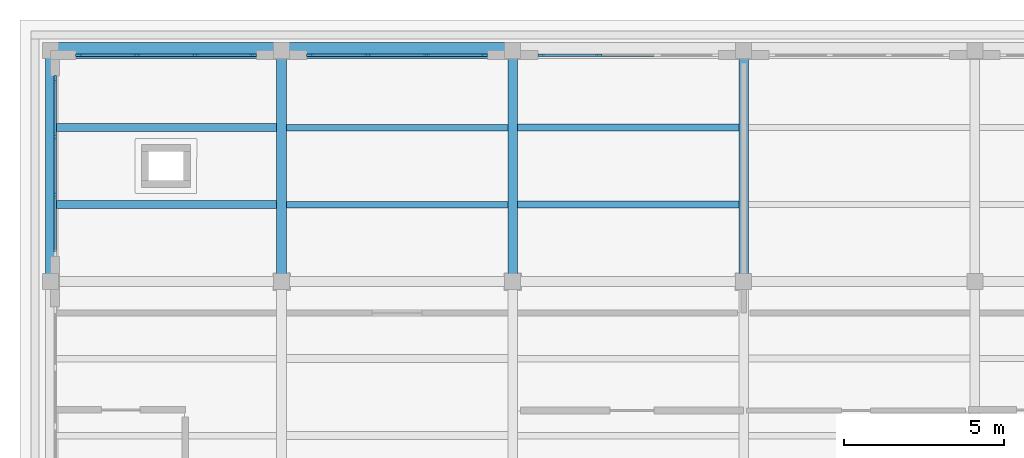
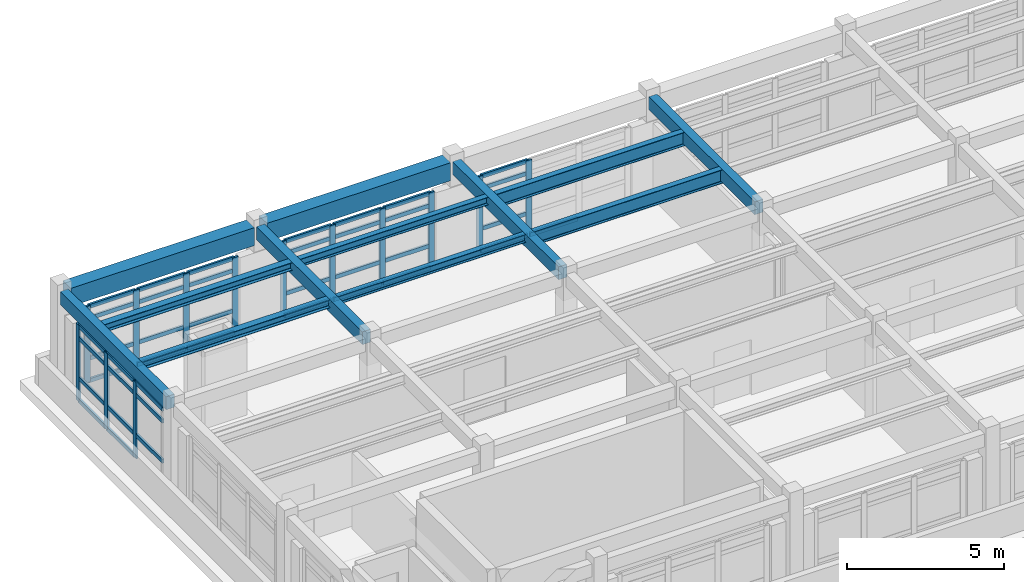
# One storey, part 4 of 12: 53 members, 12 beams, 4 elements without a shape of their own.
"""IFC4 building model written with IfcOpenShell, lengths in metres."""

from ifc_helpers import new_model, si_unit, direction, frame, origin, origin_2d, place, context, subcontext, project, spatial, rectangle, i_section, extrude, material, layer, layer_set, material_profile, profile_set, type_object, element, aggregate, save


model = new_model("IFC4")

# Units and contexts
model_context = context("Model", 3, precision=1e-05, world=origin(), true_north=direction((0.0, 1.0)))
body_context = subcontext(model_context, "Body", "Model", "MODEL_VIEW")
ifc_project = project(units=[si_unit("LENGTHUNIT", "METRE"), si_unit("AREAUNIT", "SQUARE_METRE"), si_unit("VOLUMEUNIT", "CUBIC_METRE"), si_unit("PLANEANGLEUNIT", "RADIAN"), si_unit("MASSUNIT", "GRAM", prefix="KILO")], contexts=[model_context])

# Site, building, storey
site_placement = place(None, origin())
site = spatial("IfcSite", under=ifc_project, at=site_placement, CompositionType="ELEMENT")
building_placement = place(site_placement, origin())
building = spatial("IfcBuilding", under=site, at=building_placement, Name="Solenvale Faculty of Natural Sciences", CompositionType="ELEMENT")
storey_placement = place(building_placement, frame((0.0, 0.0, 52.199951171875)))
storey = spatial("IfcBuildingStorey", under=building, at=storey_placement, Name="RF", CompositionType="ELEMENT", Elevation=52.199951171875)

# Beams
ifc_material_1 = material(Name="Concrete 40 MPa", Category="concrete")
ifc_material_profile_1 = material_profile(ifc_material_1, rectangle(XDim=0.300048828125, YDim=0.5, at=origin_2d()), Name="RC-BM-300x500")
ifc_profile_set_1 = profile_set([ifc_material_profile_1], Name="Concrete 40 MPa")
beam_type_1 = type_object("IfcBeamType", Name="BM-RC-300x500", PredefinedType="BEAM", material=ifc_profile_set_1)
for number, where, z_axis, x_axis, name in (
    (1, (100.800048828125, 108.22998046875, 3.670166015625), (0.0, 1.0, 0.0), (-1.0, 0.0, 0.0), "RF Y-Girder X100.8 (108.0..115.2)"),
    (2, (108.0, 108.22998046875, 3.670166015625), (0.0, 1.0, 0.0), (-1.0, 0.0, 0.0), "RF Y-Girder X108.0 (108.0..115.2)"),
    (3, (115.199951171875, 108.22998046875, 3.670166015625), (0.0, 1.0, 0.0), (-1.0, 0.0, 0.0), "RF Y-Girder X115.2 (108.0..115.2)"),
    (4, (122.39990234375, 108.22998046875, 3.670166015625), (0.0, 1.0, 0.0), (-1.0, 0.0, 0.0), "RF Y-Girder X122.4 (108.0..115.2)"),
):
    element("IfcBeam", number, at=place(storey_placement, frame(where, z_axis=z_axis, x_axis=x_axis)), inside=storey, type_object=beam_type_1, Name=name, PredefinedType="BEAM", context=body_context, shape_type="SweptSolid", body=[
        extrude(rectangle(XDim=0.300048828125, YDim=0.5, at=origin_2d()), origin(), (0.0, 0.0, 1.0), 6.739990234375),
    ])
ifc_material_2 = material(Name="Precast concrete 40 MPa", Category="concrete")
ifc_material_profile_2 = material_profile(ifc_material_2, rectangle(XDim=0.5, YDim=0.699951171875, at=origin_2d()), Name="RC-BM-500x700")
ifc_profile_set_2 = profile_set([ifc_material_profile_2], Name="Precast concrete 40 MPa")
beam_type_2 = type_object("IfcBeamType", Name="BM-SPN-PRC-700", PredefinedType="SPANDREL", material=ifc_profile_set_2)
for number, where, z_axis, x_axis, name in (
    (5, (101.030029296875, 115.199951171875, 3.570068359375), (1.0, 0.0, 0.0), (0.0, 1.0, 0.0), "RF X-Girder Y115.2 (100.8..108.0)"),
    (6, (108.22998046875, 115.199951171875, 3.570068359375), (1.0, 0.0, 0.0), (0.0, 1.0, 0.0), "RF X-Girder Y115.2 (108.0..115.2)"),
):
    element("IfcBeam", number, at=place(storey_placement, frame(where, z_axis=z_axis, x_axis=x_axis)), inside=storey, type_object=beam_type_2, Name=name, PredefinedType="SPANDREL", context=body_context, shape_type="SweptSolid", body=[
        extrude(rectangle(XDim=0.5, YDim=0.699951171875, at=origin_2d()), origin(), (0.0, 0.0, 1.0), 6.739990234375),
    ])
ifc_material_3 = material(Name="Steel S355", Category="steel")
ifc_material_profile_3 = material_profile(ifc_material_3, i_section(OverallWidth=0.202880859375, OverallDepth=0.302978515625, WebThickness=0.007568359375, FlangeThickness=0.01318359375, FilletRadius=0.014892578125, at=origin_2d()), Name="W310x60")
ifc_profile_set_3 = profile_set([ifc_material_profile_3], Name="Steel S355")
beam_type_3 = type_object("IfcBeamType", Name="BM-STL-W310x60", PredefinedType="JOIST", material=ifc_profile_set_3)
for number, where, z_axis, x_axis, name in (
    (7, (108.1298828125, 110.39990234375, 3.7685546875), (1.0, 0.0, 0.0), (0.0, 1.0, 0.0), "RF Composite Floor Joist (16,16).1"),
    (8, (108.1298828125, 112.800048828125, 3.7685546875), (1.0, 0.0, 0.0), (0.0, 1.0, 0.0), "RF Composite Floor Joist (16,16).2"),
):
    element("IfcBeam", number, at=place(storey_placement, frame(where, z_axis=z_axis, x_axis=x_axis)), inside=storey, type_object=beam_type_3, Name=name, PredefinedType="JOIST", context=body_context, shape_type="SweptSolid", body=[
        extrude(i_section(OverallWidth=0.202880859375, OverallDepth=0.302978515625, WebThickness=0.007568359375, FlangeThickness=0.01318359375, FilletRadius=0.014892578125, at=origin_2d()), origin(), (0.0, 0.0, 1.0), 6.940185546875),
    ])
ifc_material_profile_4 = material_profile(ifc_material_3, i_section(OverallWidth=0.25390625, OverallDepth=0.305908203125, WebThickness=0.0087890625, FlangeThickness=0.0146484375, FilletRadius=0.014892578125, at=origin_2d()), Name="W310x79")
ifc_profile_set_4 = profile_set([ifc_material_profile_4], Name="Steel S355")
beam_type_4 = type_object("IfcBeamType", Name="BM-STL-W310x79", PredefinedType="JOIST", material=ifc_profile_set_4)
for number, where, z_axis, x_axis, name in (
    (9, (100.929931640625, 110.39990234375, 3.76708984375), (1.0, 0.0, 0.0), (0.0, 1.0, 0.0), "RF Composite Floor Joist (15,16).1"),
    (10, (100.929931640625, 112.800048828125, 3.76708984375), (1.0, 0.0, 0.0), (0.0, 1.0, 0.0), "RF Composite Floor Joist (15,16).2"),
):
    element("IfcBeam", number, at=place(storey_placement, frame(where, z_axis=z_axis, x_axis=x_axis)), inside=storey, type_object=beam_type_4, Name=name, PredefinedType="JOIST", context=body_context, shape_type="SweptSolid", body=[
        extrude(i_section(OverallWidth=0.25390625, OverallDepth=0.305908203125, WebThickness=0.0087890625, FlangeThickness=0.0146484375, FilletRadius=0.014892578125, at=origin_2d()), origin(), (0.0, 0.0, 1.0), 6.940185546875),
    ])
ifc_material_profile_5 = material_profile(ifc_material_3, i_section(OverallWidth=0.208984375, OverallDepth=0.532958984375, WebThickness=0.01025390625, FlangeThickness=0.015625, FilletRadius=0.01904296875, at=origin_2d()), Name="W530x92")
ifc_profile_set_5 = profile_set([ifc_material_profile_5], Name="Steel S355")
beam_type_5 = type_object("IfcBeamType", Name="BM-STL-W530x92", PredefinedType="JOIST", material=ifc_profile_set_5)
for number, where, z_axis, x_axis, name in (
    (11, (115.330078125, 110.39990234375, 3.653564453125), (1.0, 0.0, 0.0), (0.0, 1.0, 0.0), "RF Composite Floor Joist (17,16).1"),
    (12, (115.330078125, 112.800048828125, 3.653564453125), (1.0, 0.0, 0.0), (0.0, 1.0, 0.0), "RF Composite Floor Joist (17,16).2"),
):
    element("IfcBeam", number, at=place(storey_placement, frame(where, z_axis=z_axis, x_axis=x_axis)), inside=storey, type_object=beam_type_5, Name=name, PredefinedType="JOIST", context=body_context, shape_type="SweptSolid", body=[
        extrude(i_section(OverallWidth=0.208984375, OverallDepth=0.532958984375, WebThickness=0.01025390625, FlangeThickness=0.015625, FilletRadius=0.01904296875, at=origin_2d()), origin(), (0.0, 0.0, 1.0), 6.93994140625),
    ])

# Curtain wall, members
ifc_material_4 = material(Name="Anodised bronze aluminium", Category="aluminium")
ifc_layer = layer(ifc_material_4, 0.179931640625)
ifc_layer_set = layer_set([ifc_layer], Name="Anodised bronze aluminium")
curtain_wall_type = type_object("IfcCurtainWallType", Name="CW-TWR-MOD", PredefinedType="USERDEFINED", material=ifc_layer_set)
curtain_wall_1_placement = place(storey_placement, origin())
curtain_wall_1 = element("IfcCurtainWall", 13, at=curtain_wall_1_placement, inside=storey, type_object=curtain_wall_type, Name="RF Curtain Wall CW-RF-P1-E2-B4", ObjectType="UNITISED CURTAIN WALL", PredefinedType="USERDEFINED")
ifc_material_profile_6 = material_profile(ifc_material_4, rectangle(XDim=0.074951171875, YDim=0.2099609375, at=origin_2d()), Name="ALU-MUL-75x210")
ifc_profile_set_6 = profile_set([ifc_material_profile_6], Name="Anodised bronze aluminium")
member_type_1 = type_object("IfcMemberType", Name="CWM-ALU-75x210", PredefinedType="MULLION", material=ifc_profile_set_6)
member_1_placement = place(storey_placement, frame((117.88330078125, 115.0576171875, 0.0), z_axis=(0.0, 0.0, 1.0), x_axis=(0.0, -1.0, 0.0)))
member_1 = element("IfcMember", 14, at=member_1_placement, type_object=member_type_1, Name="CW-04 mullion 3", PredefinedType="MULLION", context=body_context, shape_type="SweptSolid", body=[
    extrude(rectangle(XDim=0.074951171875, YDim=0.2099609375, at=origin_2d()), origin(), (0.0, 0.0, 1.0), 2.9599609375),
])
member_2_placement = place(storey_placement, frame((116.08740234375, 115.0576171875, 0.0), z_axis=(0.0, 0.0, 1.0), x_axis=(0.0, -1.0, 0.0)))
member_2 = element("IfcMember", 15, at=member_2_placement, type_object=member_type_1, Name="CW-04 mullion 4", PredefinedType="MULLION", context=body_context, shape_type="SweptSolid", body=[
    extrude(rectangle(XDim=0.074951171875, YDim=0.2099609375, at=origin_2d()), origin(), (0.0, 0.0, 1.0), 2.9599609375),
])

curtain_wall_2_placement = place(storey_placement, origin())
curtain_wall_2 = element("IfcCurtainWall", 16, at=curtain_wall_2_placement, inside=storey, type_object=curtain_wall_type, Name="RF Curtain Wall CW-RF-P1-E2-B5", ObjectType="UNITISED CURTAIN WALL", PredefinedType="USERDEFINED")
member_3_placement = place(storey_placement, frame((114.3125, 115.0576171875, 0.0), z_axis=(0.0, 0.0, 1.0), x_axis=(0.0, -1.0, 0.0)))
member_3 = element("IfcMember", 17, at=member_3_placement, type_object=member_type_1, Name="CW-04 mullion 1", PredefinedType="MULLION", context=body_context, shape_type="SweptSolid", body=[
    extrude(rectangle(XDim=0.074951171875, YDim=0.2099609375, at=origin_2d()), origin(), (0.0, 0.0, 1.0), 2.9599609375),
])
member_4_placement = place(storey_placement, frame((112.5166015625, 115.0576171875, 0.0), z_axis=(0.0, 0.0, 1.0), x_axis=(0.0, -1.0, 0.0)))
member_4 = element("IfcMember", 18, at=member_4_placement, type_object=member_type_1, Name="CW-04 mullion 2", PredefinedType="MULLION", context=body_context, shape_type="SweptSolid", body=[
    extrude(rectangle(XDim=0.074951171875, YDim=0.2099609375, at=origin_2d()), origin(), (0.0, 0.0, 1.0), 2.9599609375),
])
member_5_placement = place(storey_placement, frame((110.683349609375, 115.0576171875, 0.0), z_axis=(0.0, 0.0, 1.0), x_axis=(0.0, -1.0, 0.0)))
member_5 = element("IfcMember", 19, at=member_5_placement, type_object=member_type_1, Name="CW-04 mullion 3", PredefinedType="MULLION", context=body_context, shape_type="SweptSolid", body=[
    extrude(rectangle(XDim=0.074951171875, YDim=0.2099609375, at=origin_2d()), origin(), (0.0, 0.0, 1.0), 2.9599609375),
])
member_6_placement = place(storey_placement, frame((108.887451171875, 115.0576171875, 0.0), z_axis=(0.0, 0.0, 1.0), x_axis=(0.0, -1.0, 0.0)))
member_6 = element("IfcMember", 20, at=member_6_placement, type_object=member_type_1, Name="CW-04 mullion 4", PredefinedType="MULLION", context=body_context, shape_type="SweptSolid", body=[
    extrude(rectangle(XDim=0.074951171875, YDim=0.2099609375, at=origin_2d()), origin(), (0.0, 0.0, 1.0), 2.9599609375),
])

curtain_wall_3_placement = place(storey_placement, origin())
curtain_wall_3 = element("IfcCurtainWall", 21, at=curtain_wall_3_placement, inside=storey, type_object=curtain_wall_type, Name="RF Curtain Wall CW-RF-P1-E2-B6", ObjectType="UNITISED CURTAIN WALL", PredefinedType="USERDEFINED")
member_7_placement = place(storey_placement, frame((107.112548828125, 115.0576171875, 0.0), z_axis=(0.0, 0.0, 1.0), x_axis=(0.0, -1.0, 0.0)))
member_7 = element("IfcMember", 22, at=member_7_placement, type_object=member_type_1, Name="CW-04 mullion 1", PredefinedType="MULLION", context=body_context, shape_type="SweptSolid", body=[
    extrude(rectangle(XDim=0.074951171875, YDim=0.2099609375, at=origin_2d()), origin(), (0.0, 0.0, 1.0), 2.9599609375),
])
member_8_placement = place(storey_placement, frame((105.316650390625, 115.0576171875, 0.0), z_axis=(0.0, 0.0, 1.0), x_axis=(0.0, -1.0, 0.0)))
member_8 = element("IfcMember", 23, at=member_8_placement, type_object=member_type_1, Name="CW-04 mullion 2", PredefinedType="MULLION", context=body_context, shape_type="SweptSolid", body=[
    extrude(rectangle(XDim=0.074951171875, YDim=0.2099609375, at=origin_2d()), origin(), (0.0, 0.0, 1.0), 2.9599609375),
])
member_9_placement = place(storey_placement, frame((103.4833984375, 115.0576171875, 0.0), z_axis=(0.0, 0.0, 1.0), x_axis=(0.0, -1.0, 0.0)))
member_9 = element("IfcMember", 24, at=member_9_placement, type_object=member_type_1, Name="CW-04 mullion 3", PredefinedType="MULLION", context=body_context, shape_type="SweptSolid", body=[
    extrude(rectangle(XDim=0.074951171875, YDim=0.2099609375, at=origin_2d()), origin(), (0.0, 0.0, 1.0), 2.9599609375),
])
member_10_placement = place(storey_placement, frame((101.6875, 115.0576171875, 0.0), z_axis=(0.0, 0.0, 1.0), x_axis=(0.0, -1.0, 0.0)))
member_10 = element("IfcMember", 25, at=member_10_placement, type_object=member_type_1, Name="CW-04 mullion 4", PredefinedType="MULLION", context=body_context, shape_type="SweptSolid", body=[
    extrude(rectangle(XDim=0.074951171875, YDim=0.2099609375, at=origin_2d()), origin(), (0.0, 0.0, 1.0), 2.9599609375),
])

curtain_wall_4_placement = place(storey_placement, origin())
curtain_wall_4 = element("IfcCurtainWall", 26, at=curtain_wall_4_placement, inside=storey, type_object=curtain_wall_type, Name="RF Curtain Wall CW-RF-P1-E3-B1", ObjectType="UNITISED CURTAIN WALL", PredefinedType="USERDEFINED")
member_11_placement = place(storey_placement, frame((100.9423828125, 114.3125, 0.0), z_axis=(0.0, 0.0, 1.0), x_axis=(1.0, 0.0, 0.0)))
member_11 = element("IfcMember", 27, at=member_11_placement, type_object=member_type_1, Name="CW-04 mullion 1", PredefinedType="MULLION", context=body_context, shape_type="SweptSolid", body=[
    extrude(rectangle(XDim=0.074951171875, YDim=0.2099609375, at=origin_2d()), origin(), (0.0, 0.0, 1.0), 2.9599609375),
])
member_12_placement = place(storey_placement, frame((100.9423828125, 112.5166015625, 0.0), z_axis=(0.0, 0.0, 1.0), x_axis=(1.0, 0.0, 0.0)))
member_12 = element("IfcMember", 28, at=member_12_placement, type_object=member_type_1, Name="CW-04 mullion 2", PredefinedType="MULLION", context=body_context, shape_type="SweptSolid", body=[
    extrude(rectangle(XDim=0.074951171875, YDim=0.2099609375, at=origin_2d()), origin(), (0.0, 0.0, 1.0), 2.9599609375),
])
member_13_placement = place(storey_placement, frame((100.9423828125, 110.683349609375, 0.0), z_axis=(0.0, 0.0, 1.0), x_axis=(1.0, 0.0, 0.0)))
member_13 = element("IfcMember", 29, at=member_13_placement, type_object=member_type_1, Name="CW-04 mullion 3", PredefinedType="MULLION", context=body_context, shape_type="SweptSolid", body=[
    extrude(rectangle(XDim=0.074951171875, YDim=0.2099609375, at=origin_2d()), origin(), (0.0, 0.0, 1.0), 2.9599609375),
])

# Member
ifc_material_profile_7 = material_profile(ifc_material_4, rectangle(XDim=0.074951171875, YDim=0.155029296875, at=origin_2d()), Name="ALU-TRN-75x155")
ifc_profile_set_7 = profile_set([ifc_material_profile_7], Name="Anodised bronze aluminium")
member_type_2 = type_object("IfcMemberType", Name="CWT-ALU-75x155", PredefinedType="USERDEFINED", material=ifc_profile_set_7)
member_14_placement = place(storey_placement, frame((119.67919921875, 115.0576171875, 0.03759765625), z_axis=(-1.0, 0.0, 0.0), x_axis=(0.0, -1.0, 0.0)))
member_14 = element("IfcMember", 30, at=member_14_placement, type_object=member_type_2, Name="CW-04 transom 2.1", ObjectType="TRANSOM", PredefinedType="USERDEFINED", context=body_context, shape_type="SweptSolid", body=[
    extrude(rectangle(XDim=0.074951171875, YDim=0.155029296875, at=origin_2d()), origin(), (0.0, 0.0, 1.0), 1.75830078125),
])

member_15_placement = place(storey_placement, frame((117.845947265625, 115.0576171875, 0.03759765625), z_axis=(-1.0, 0.0, 0.0), x_axis=(0.0, -1.0, 0.0)))
member_15 = element("IfcMember", 31, at=member_15_placement, type_object=member_type_2, Name="CW-04 transom 3.1", ObjectType="TRANSOM", PredefinedType="USERDEFINED", context=body_context, shape_type="SweptSolid", body=[
    extrude(rectangle(XDim=0.074951171875, YDim=0.155029296875, at=origin_2d()), origin(), (0.0, 0.0, 1.0), 1.720947265625),
])

member_16_placement = place(storey_placement, frame((117.845947265625, 115.0576171875, 0.900146484375), z_axis=(-1.0, 0.0, 0.0), x_axis=(0.0, -1.0, 0.0)))
member_16 = element("IfcMember", 32, at=member_16_placement, type_object=member_type_2, Name="CW-04 transom 3.2", ObjectType="TRANSOM", PredefinedType="USERDEFINED", context=body_context, shape_type="SweptSolid", body=[
    extrude(rectangle(XDim=0.074951171875, YDim=0.155029296875, at=origin_2d()), origin(), (0.0, 0.0, 1.0), 1.720947265625),
])

member_17_placement = place(storey_placement, frame((117.845947265625, 115.0576171875, 2.4599609375), z_axis=(-1.0, 0.0, 0.0), x_axis=(0.0, -1.0, 0.0)))
member_17 = element("IfcMember", 33, at=member_17_placement, type_object=member_type_2, Name="CW-04 transom 3.3", ObjectType="TRANSOM", PredefinedType="USERDEFINED", context=body_context, shape_type="SweptSolid", body=[
    extrude(rectangle(XDim=0.074951171875, YDim=0.155029296875, at=origin_2d()), origin(), (0.0, 0.0, 1.0), 1.720947265625),
])

member_18_placement = place(storey_placement, frame((117.845947265625, 115.0576171875, 2.922607421875), z_axis=(-1.0, 0.0, 0.0), x_axis=(0.0, -1.0, 0.0)))
member_18 = element("IfcMember", 34, at=member_18_placement, type_object=member_type_2, Name="CW-04 transom 3.4", ObjectType="TRANSOM", PredefinedType="USERDEFINED", context=body_context, shape_type="SweptSolid", body=[
    extrude(rectangle(XDim=0.074951171875, YDim=0.155029296875, at=origin_2d()), origin(), (0.0, 0.0, 1.0), 1.720947265625),
])

aggregate(curtain_wall_1, [member_1, member_2, member_14, member_15, member_16, member_17, member_18])

member_19_placement = place(storey_placement, frame((114.27490234375, 115.0576171875, 0.03759765625), z_axis=(-1.0, 0.0, 0.0), x_axis=(0.0, -1.0, 0.0)))
member_19 = element("IfcMember", 35, at=member_19_placement, type_object=member_type_2, Name="CW-04 transom 1.1", ObjectType="TRANSOM", PredefinedType="USERDEFINED", context=body_context, shape_type="SweptSolid", body=[
    extrude(rectangle(XDim=0.074951171875, YDim=0.155029296875, at=origin_2d()), origin(), (0.0, 0.0, 1.0), 1.720703125),
])

member_20_placement = place(storey_placement, frame((114.27490234375, 115.0576171875, 0.900146484375), z_axis=(-1.0, 0.0, 0.0), x_axis=(0.0, -1.0, 0.0)))
member_20 = element("IfcMember", 36, at=member_20_placement, type_object=member_type_2, Name="CW-04 transom 1.2", ObjectType="TRANSOM", PredefinedType="USERDEFINED", context=body_context, shape_type="SweptSolid", body=[
    extrude(rectangle(XDim=0.074951171875, YDim=0.155029296875, at=origin_2d()), origin(), (0.0, 0.0, 1.0), 1.720703125),
])

member_21_placement = place(storey_placement, frame((114.27490234375, 115.0576171875, 2.4599609375), z_axis=(-1.0, 0.0, 0.0), x_axis=(0.0, -1.0, 0.0)))
member_21 = element("IfcMember", 37, at=member_21_placement, type_object=member_type_2, Name="CW-04 transom 1.3", ObjectType="TRANSOM", PredefinedType="USERDEFINED", context=body_context, shape_type="SweptSolid", body=[
    extrude(rectangle(XDim=0.074951171875, YDim=0.155029296875, at=origin_2d()), origin(), (0.0, 0.0, 1.0), 1.720703125),
])

member_22_placement = place(storey_placement, frame((114.27490234375, 115.0576171875, 2.922607421875), z_axis=(-1.0, 0.0, 0.0), x_axis=(0.0, -1.0, 0.0)))
member_22 = element("IfcMember", 38, at=member_22_placement, type_object=member_type_2, Name="CW-04 transom 1.4", ObjectType="TRANSOM", PredefinedType="USERDEFINED", context=body_context, shape_type="SweptSolid", body=[
    extrude(rectangle(XDim=0.074951171875, YDim=0.155029296875, at=origin_2d()), origin(), (0.0, 0.0, 1.0), 1.720703125),
])

member_23_placement = place(storey_placement, frame((112.479248046875, 115.0576171875, 0.03759765625), z_axis=(-1.0, 0.0, 0.0), x_axis=(0.0, -1.0, 0.0)))
member_23 = element("IfcMember", 39, at=member_23_placement, type_object=member_type_2, Name="CW-04 transom 2.1", ObjectType="TRANSOM", PredefinedType="USERDEFINED", context=body_context, shape_type="SweptSolid", body=[
    extrude(rectangle(XDim=0.074951171875, YDim=0.155029296875, at=origin_2d()), origin(), (0.0, 0.0, 1.0), 1.75830078125),
])

member_24_placement = place(storey_placement, frame((112.479248046875, 115.0576171875, 0.900146484375), z_axis=(-1.0, 0.0, 0.0), x_axis=(0.0, -1.0, 0.0)))
member_24 = element("IfcMember", 40, at=member_24_placement, type_object=member_type_2, Name="CW-04 transom 2.2", ObjectType="TRANSOM", PredefinedType="USERDEFINED", context=body_context, shape_type="SweptSolid", body=[
    extrude(rectangle(XDim=0.074951171875, YDim=0.155029296875, at=origin_2d()), origin(), (0.0, 0.0, 1.0), 1.75830078125),
])

member_25_placement = place(storey_placement, frame((112.479248046875, 115.0576171875, 2.4599609375), z_axis=(-1.0, 0.0, 0.0), x_axis=(0.0, -1.0, 0.0)))
member_25 = element("IfcMember", 41, at=member_25_placement, type_object=member_type_2, Name="CW-04 transom 2.3", ObjectType="TRANSOM", PredefinedType="USERDEFINED", context=body_context, shape_type="SweptSolid", body=[
    extrude(rectangle(XDim=0.074951171875, YDim=0.155029296875, at=origin_2d()), origin(), (0.0, 0.0, 1.0), 1.75830078125),
])

member_26_placement = place(storey_placement, frame((112.479248046875, 115.0576171875, 2.922607421875), z_axis=(-1.0, 0.0, 0.0), x_axis=(0.0, -1.0, 0.0)))
member_26 = element("IfcMember", 42, at=member_26_placement, type_object=member_type_2, Name="CW-04 transom 2.4", ObjectType="TRANSOM", PredefinedType="USERDEFINED", context=body_context, shape_type="SweptSolid", body=[
    extrude(rectangle(XDim=0.074951171875, YDim=0.155029296875, at=origin_2d()), origin(), (0.0, 0.0, 1.0), 1.75830078125),
])

member_27_placement = place(storey_placement, frame((110.645751953125, 115.0576171875, 0.03759765625), z_axis=(-1.0, 0.0, 0.0), x_axis=(0.0, -1.0, 0.0)))
member_27 = element("IfcMember", 43, at=member_27_placement, type_object=member_type_2, Name="CW-04 transom 3.1", ObjectType="TRANSOM", PredefinedType="USERDEFINED", context=body_context, shape_type="SweptSolid", body=[
    extrude(rectangle(XDim=0.074951171875, YDim=0.155029296875, at=origin_2d()), origin(), (0.0, 0.0, 1.0), 1.720703125),
])

member_28_placement = place(storey_placement, frame((110.645751953125, 115.0576171875, 0.900146484375), z_axis=(-1.0, 0.0, 0.0), x_axis=(0.0, -1.0, 0.0)))
member_28 = element("IfcMember", 44, at=member_28_placement, type_object=member_type_2, Name="CW-04 transom 3.2", ObjectType="TRANSOM", PredefinedType="USERDEFINED", context=body_context, shape_type="SweptSolid", body=[
    extrude(rectangle(XDim=0.074951171875, YDim=0.155029296875, at=origin_2d()), origin(), (0.0, 0.0, 1.0), 1.720703125),
])

member_29_placement = place(storey_placement, frame((110.645751953125, 115.0576171875, 2.4599609375), z_axis=(-1.0, 0.0, 0.0), x_axis=(0.0, -1.0, 0.0)))
member_29 = element("IfcMember", 45, at=member_29_placement, type_object=member_type_2, Name="CW-04 transom 3.3", ObjectType="TRANSOM", PredefinedType="USERDEFINED", context=body_context, shape_type="SweptSolid", body=[
    extrude(rectangle(XDim=0.074951171875, YDim=0.155029296875, at=origin_2d()), origin(), (0.0, 0.0, 1.0), 1.720703125),
])

member_30_placement = place(storey_placement, frame((110.645751953125, 115.0576171875, 2.922607421875), z_axis=(-1.0, 0.0, 0.0), x_axis=(0.0, -1.0, 0.0)))
member_30 = element("IfcMember", 46, at=member_30_placement, type_object=member_type_2, Name="CW-04 transom 3.4", ObjectType="TRANSOM", PredefinedType="USERDEFINED", context=body_context, shape_type="SweptSolid", body=[
    extrude(rectangle(XDim=0.074951171875, YDim=0.155029296875, at=origin_2d()), origin(), (0.0, 0.0, 1.0), 1.720703125),
])

aggregate(curtain_wall_2, [member_3, member_4, member_5, member_6, member_19, member_20, member_21, member_22, member_23, member_24, member_25, member_26, member_27, member_28, member_29, member_30])

member_31_placement = place(storey_placement, frame((107.074951171875, 115.0576171875, 0.03759765625), z_axis=(-1.0, 0.0, 0.0), x_axis=(0.0, -1.0, 0.0)))
member_31 = element("IfcMember", 47, at=member_31_placement, type_object=member_type_2, Name="CW-04 transom 1.1", ObjectType="TRANSOM", PredefinedType="USERDEFINED", context=body_context, shape_type="SweptSolid", body=[
    extrude(rectangle(XDim=0.074951171875, YDim=0.155029296875, at=origin_2d()), origin(), (0.0, 0.0, 1.0), 1.720703125),
])

member_32_placement = place(storey_placement, frame((107.074951171875, 115.0576171875, 0.900146484375), z_axis=(-1.0, 0.0, 0.0), x_axis=(0.0, -1.0, 0.0)))
member_32 = element("IfcMember", 48, at=member_32_placement, type_object=member_type_2, Name="CW-04 transom 1.2", ObjectType="TRANSOM", PredefinedType="USERDEFINED", context=body_context, shape_type="SweptSolid", body=[
    extrude(rectangle(XDim=0.074951171875, YDim=0.155029296875, at=origin_2d()), origin(), (0.0, 0.0, 1.0), 1.720703125),
])

member_33_placement = place(storey_placement, frame((107.074951171875, 115.0576171875, 2.4599609375), z_axis=(-1.0, 0.0, 0.0), x_axis=(0.0, -1.0, 0.0)))
member_33 = element("IfcMember", 49, at=member_33_placement, type_object=member_type_2, Name="CW-04 transom 1.3", ObjectType="TRANSOM", PredefinedType="USERDEFINED", context=body_context, shape_type="SweptSolid", body=[
    extrude(rectangle(XDim=0.074951171875, YDim=0.155029296875, at=origin_2d()), origin(), (0.0, 0.0, 1.0), 1.720703125),
])

member_34_placement = place(storey_placement, frame((107.074951171875, 115.0576171875, 2.922607421875), z_axis=(-1.0, 0.0, 0.0), x_axis=(0.0, -1.0, 0.0)))
member_34 = element("IfcMember", 50, at=member_34_placement, type_object=member_type_2, Name="CW-04 transom 1.4", ObjectType="TRANSOM", PredefinedType="USERDEFINED", context=body_context, shape_type="SweptSolid", body=[
    extrude(rectangle(XDim=0.074951171875, YDim=0.155029296875, at=origin_2d()), origin(), (0.0, 0.0, 1.0), 1.720703125),
])

member_35_placement = place(storey_placement, frame((105.279052734375, 115.0576171875, 0.03759765625), z_axis=(-1.0, 0.0, 0.0), x_axis=(0.0, -1.0, 0.0)))
member_35 = element("IfcMember", 51, at=member_35_placement, type_object=member_type_2, Name="CW-04 transom 2.1", ObjectType="TRANSOM", PredefinedType="USERDEFINED", context=body_context, shape_type="SweptSolid", body=[
    extrude(rectangle(XDim=0.074951171875, YDim=0.155029296875, at=origin_2d()), origin(), (0.0, 0.0, 1.0), 1.75830078125),
])

member_36_placement = place(storey_placement, frame((105.279052734375, 115.0576171875, 0.900146484375), z_axis=(-1.0, 0.0, 0.0), x_axis=(0.0, -1.0, 0.0)))
member_36 = element("IfcMember", 52, at=member_36_placement, type_object=member_type_2, Name="CW-04 transom 2.2", ObjectType="TRANSOM", PredefinedType="USERDEFINED", context=body_context, shape_type="SweptSolid", body=[
    extrude(rectangle(XDim=0.074951171875, YDim=0.155029296875, at=origin_2d()), origin(), (0.0, 0.0, 1.0), 1.75830078125),
])

member_37_placement = place(storey_placement, frame((105.279052734375, 115.0576171875, 2.4599609375), z_axis=(-1.0, 0.0, 0.0), x_axis=(0.0, -1.0, 0.0)))
member_37 = element("IfcMember", 53, at=member_37_placement, type_object=member_type_2, Name="CW-04 transom 2.3", ObjectType="TRANSOM", PredefinedType="USERDEFINED", context=body_context, shape_type="SweptSolid", body=[
    extrude(rectangle(XDim=0.074951171875, YDim=0.155029296875, at=origin_2d()), origin(), (0.0, 0.0, 1.0), 1.75830078125),
])

member_38_placement = place(storey_placement, frame((105.279052734375, 115.0576171875, 2.922607421875), z_axis=(-1.0, 0.0, 0.0), x_axis=(0.0, -1.0, 0.0)))
member_38 = element("IfcMember", 54, at=member_38_placement, type_object=member_type_2, Name="CW-04 transom 2.4", ObjectType="TRANSOM", PredefinedType="USERDEFINED", context=body_context, shape_type="SweptSolid", body=[
    extrude(rectangle(XDim=0.074951171875, YDim=0.155029296875, at=origin_2d()), origin(), (0.0, 0.0, 1.0), 1.75830078125),
])

member_39_placement = place(storey_placement, frame((103.44580078125, 115.0576171875, 0.03759765625), z_axis=(-1.0, 0.0, 0.0), x_axis=(0.0, -1.0, 0.0)))
member_39 = element("IfcMember", 55, at=member_39_placement, type_object=member_type_2, Name="CW-04 transom 3.1", ObjectType="TRANSOM", PredefinedType="USERDEFINED", context=body_context, shape_type="SweptSolid", body=[
    extrude(rectangle(XDim=0.074951171875, YDim=0.155029296875, at=origin_2d()), origin(), (0.0, 0.0, 1.0), 1.720703125),
])

member_40_placement = place(storey_placement, frame((103.44580078125, 115.0576171875, 0.900146484375), z_axis=(-1.0, 0.0, 0.0), x_axis=(0.0, -1.0, 0.0)))
member_40 = element("IfcMember", 56, at=member_40_placement, type_object=member_type_2, Name="CW-04 transom 3.2", ObjectType="TRANSOM", PredefinedType="USERDEFINED", context=body_context, shape_type="SweptSolid", body=[
    extrude(rectangle(XDim=0.074951171875, YDim=0.155029296875, at=origin_2d()), origin(), (0.0, 0.0, 1.0), 1.720703125),
])

member_41_placement = place(storey_placement, frame((103.44580078125, 115.0576171875, 2.4599609375), z_axis=(-1.0, 0.0, 0.0), x_axis=(0.0, -1.0, 0.0)))
member_41 = element("IfcMember", 57, at=member_41_placement, type_object=member_type_2, Name="CW-04 transom 3.3", ObjectType="TRANSOM", PredefinedType="USERDEFINED", context=body_context, shape_type="SweptSolid", body=[
    extrude(rectangle(XDim=0.074951171875, YDim=0.155029296875, at=origin_2d()), origin(), (0.0, 0.0, 1.0), 1.720703125),
])

member_42_placement = place(storey_placement, frame((103.44580078125, 115.0576171875, 2.922607421875), z_axis=(-1.0, 0.0, 0.0), x_axis=(0.0, -1.0, 0.0)))
member_42 = element("IfcMember", 58, at=member_42_placement, type_object=member_type_2, Name="CW-04 transom 3.4", ObjectType="TRANSOM", PredefinedType="USERDEFINED", context=body_context, shape_type="SweptSolid", body=[
    extrude(rectangle(XDim=0.074951171875, YDim=0.155029296875, at=origin_2d()), origin(), (0.0, 0.0, 1.0), 1.720703125),
])

aggregate(curtain_wall_3, [member_7, member_8, member_9, member_10, member_31, member_32, member_33, member_34, member_35, member_36, member_37, member_38, member_39, member_40, member_41, member_42])

member_43_placement = place(storey_placement, frame((100.9423828125, 114.27490234375, 0.03759765625), z_axis=(0.0, -1.0, 0.0), x_axis=(1.0, 0.0, 0.0)))
member_43 = element("IfcMember", 59, at=member_43_placement, type_object=member_type_2, Name="CW-04 transom 1.1", ObjectType="TRANSOM", PredefinedType="USERDEFINED", context=body_context, shape_type="SweptSolid", body=[
    extrude(rectangle(XDim=0.074951171875, YDim=0.155029296875, at=origin_2d()), origin(), (0.0, 0.0, 1.0), 1.720703125),
])

member_44_placement = place(storey_placement, frame((100.9423828125, 114.27490234375, 0.900146484375), z_axis=(0.0, -1.0, 0.0), x_axis=(1.0, 0.0, 0.0)))
member_44 = element("IfcMember", 60, at=member_44_placement, type_object=member_type_2, Name="CW-04 transom 1.2", ObjectType="TRANSOM", PredefinedType="USERDEFINED", context=body_context, shape_type="SweptSolid", body=[
    extrude(rectangle(XDim=0.074951171875, YDim=0.155029296875, at=origin_2d()), origin(), (0.0, 0.0, 1.0), 1.720703125),
])

member_45_placement = place(storey_placement, frame((100.9423828125, 114.27490234375, 2.4599609375), z_axis=(0.0, -1.0, 0.0), x_axis=(1.0, 0.0, 0.0)))
member_45 = element("IfcMember", 61, at=member_45_placement, type_object=member_type_2, Name="CW-04 transom 1.3", ObjectType="TRANSOM", PredefinedType="USERDEFINED", context=body_context, shape_type="SweptSolid", body=[
    extrude(rectangle(XDim=0.074951171875, YDim=0.155029296875, at=origin_2d()), origin(), (0.0, 0.0, 1.0), 1.720703125),
])

member_46_placement = place(storey_placement, frame((100.9423828125, 114.27490234375, 2.922607421875), z_axis=(0.0, -1.0, 0.0), x_axis=(1.0, 0.0, 0.0)))
member_46 = element("IfcMember", 62, at=member_46_placement, type_object=member_type_2, Name="CW-04 transom 1.4", ObjectType="TRANSOM", PredefinedType="USERDEFINED", context=body_context, shape_type="SweptSolid", body=[
    extrude(rectangle(XDim=0.074951171875, YDim=0.155029296875, at=origin_2d()), origin(), (0.0, 0.0, 1.0), 1.720703125),
])

member_47_placement = place(storey_placement, frame((100.9423828125, 112.479248046875, 0.03759765625), z_axis=(0.0, -1.0, 0.0), x_axis=(1.0, 0.0, 0.0)))
member_47 = element("IfcMember", 63, at=member_47_placement, type_object=member_type_2, Name="CW-04 transom 2.1", ObjectType="TRANSOM", PredefinedType="USERDEFINED", context=body_context, shape_type="SweptSolid", body=[
    extrude(rectangle(XDim=0.074951171875, YDim=0.155029296875, at=origin_2d()), origin(), (0.0, 0.0, 1.0), 1.75830078125),
])

member_48_placement = place(storey_placement, frame((100.9423828125, 112.479248046875, 0.900146484375), z_axis=(0.0, -1.0, 0.0), x_axis=(1.0, 0.0, 0.0)))
member_48 = element("IfcMember", 64, at=member_48_placement, type_object=member_type_2, Name="CW-04 transom 2.2", ObjectType="TRANSOM", PredefinedType="USERDEFINED", context=body_context, shape_type="SweptSolid", body=[
    extrude(rectangle(XDim=0.074951171875, YDim=0.155029296875, at=origin_2d()), origin(), (0.0, 0.0, 1.0), 1.75830078125),
])

member_49_placement = place(storey_placement, frame((100.9423828125, 112.479248046875, 2.4599609375), z_axis=(0.0, -1.0, 0.0), x_axis=(1.0, 0.0, 0.0)))
member_49 = element("IfcMember", 65, at=member_49_placement, type_object=member_type_2, Name="CW-04 transom 2.3", ObjectType="TRANSOM", PredefinedType="USERDEFINED", context=body_context, shape_type="SweptSolid", body=[
    extrude(rectangle(XDim=0.074951171875, YDim=0.155029296875, at=origin_2d()), origin(), (0.0, 0.0, 1.0), 1.75830078125),
])

member_50_placement = place(storey_placement, frame((100.9423828125, 112.479248046875, 2.922607421875), z_axis=(0.0, -1.0, 0.0), x_axis=(1.0, 0.0, 0.0)))
member_50 = element("IfcMember", 66, at=member_50_placement, type_object=member_type_2, Name="CW-04 transom 2.4", ObjectType="TRANSOM", PredefinedType="USERDEFINED", context=body_context, shape_type="SweptSolid", body=[
    extrude(rectangle(XDim=0.074951171875, YDim=0.155029296875, at=origin_2d()), origin(), (0.0, 0.0, 1.0), 1.75830078125),
])

member_51_placement = place(storey_placement, frame((100.9423828125, 110.645751953125, 0.900146484375), z_axis=(0.0, -1.0, 0.0), x_axis=(1.0, 0.0, 0.0)))
member_51 = element("IfcMember", 67, at=member_51_placement, type_object=member_type_2, Name="CW-04 transom 3.2", ObjectType="TRANSOM", PredefinedType="USERDEFINED", context=body_context, shape_type="SweptSolid", body=[
    extrude(rectangle(XDim=0.074951171875, YDim=0.155029296875, at=origin_2d()), origin(), (0.0, 0.0, 1.0), 1.720703125),
])

member_52_placement = place(storey_placement, frame((100.9423828125, 110.645751953125, 2.4599609375), z_axis=(0.0, -1.0, 0.0), x_axis=(1.0, 0.0, 0.0)))
member_52 = element("IfcMember", 68, at=member_52_placement, type_object=member_type_2, Name="CW-04 transom 3.3", ObjectType="TRANSOM", PredefinedType="USERDEFINED", context=body_context, shape_type="SweptSolid", body=[
    extrude(rectangle(XDim=0.074951171875, YDim=0.155029296875, at=origin_2d()), origin(), (0.0, 0.0, 1.0), 1.720703125),
])

member_53_placement = place(storey_placement, frame((100.9423828125, 110.645751953125, 2.922607421875), z_axis=(0.0, -1.0, 0.0), x_axis=(1.0, 0.0, 0.0)))
member_53 = element("IfcMember", 69, at=member_53_placement, type_object=member_type_2, Name="CW-04 transom 3.4", ObjectType="TRANSOM", PredefinedType="USERDEFINED", context=body_context, shape_type="SweptSolid", body=[
    extrude(rectangle(XDim=0.074951171875, YDim=0.155029296875, at=origin_2d()), origin(), (0.0, 0.0, 1.0), 1.720703125),
])

aggregate(curtain_wall_4, [member_11, member_12, member_13, member_43, member_44, member_45, member_46, member_47, member_48, member_49, member_50, member_51, member_52, member_53])

save(model, "model.ifc")
